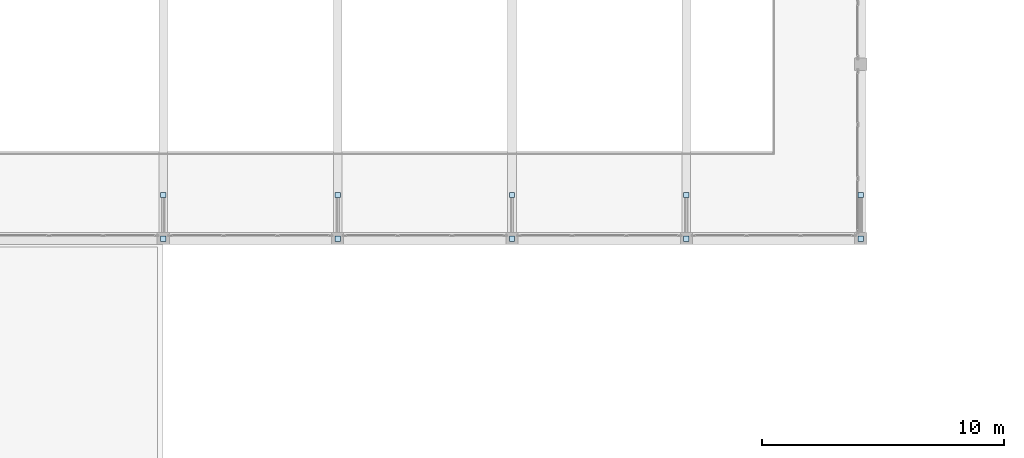
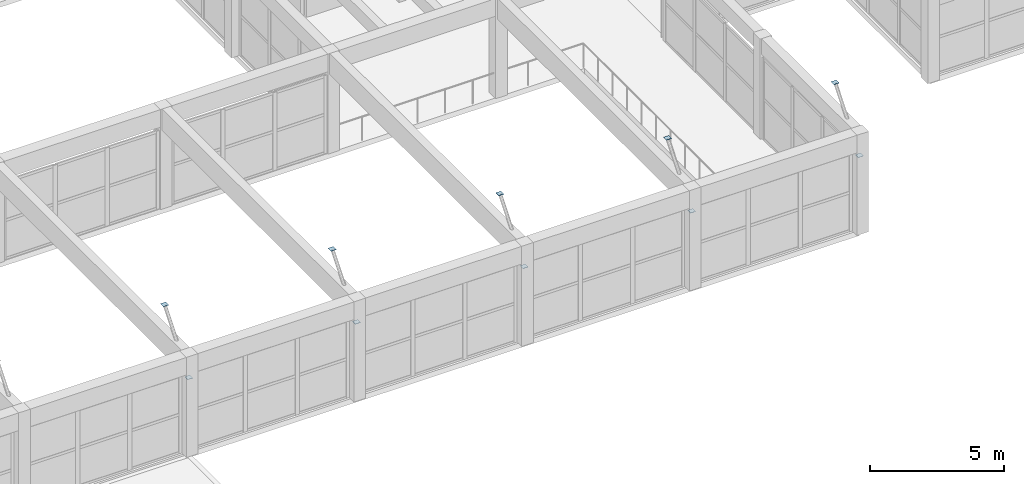
# One storey, part 130 of 153: 10 plates.
"""IFC4 building model written with IfcOpenShell, lengths in metres."""

from ifc_helpers import new_model, si_unit, direction, frame, origin, origin_2d, place, context, subcontext, project, spatial, rectangle, extrude, material, layer, layer_set, type_object, element, save


model = new_model("IFC4")

# Units and contexts
model_context = context("Model", 3, precision=1e-05, world=origin(), true_north=direction((0.0, 1.0)))
body_context = subcontext(model_context, "Body", "Model", "MODEL_VIEW")
ifc_project = project(units=[si_unit("LENGTHUNIT", "METRE"), si_unit("AREAUNIT", "SQUARE_METRE"), si_unit("VOLUMEUNIT", "CUBIC_METRE"), si_unit("PLANEANGLEUNIT", "RADIAN"), si_unit("MASSUNIT", "GRAM", prefix="KILO")], contexts=[model_context])

# Site, building, storey
site_placement = place(None, origin())
site = spatial("IfcSite", under=ifc_project, at=site_placement, CompositionType="ELEMENT")
building_placement = place(site_placement, origin())
building = spatial("IfcBuilding", under=site, at=building_placement, Name="Bramvelor Terrace Health Centre", CompositionType="ELEMENT")
storey_placement = place(building_placement, frame((0.0, 0.0, 4.800048828125)))
storey = spatial("IfcBuildingStorey", under=building, at=storey_placement, Name="L02", CompositionType="ELEMENT", Elevation=4.800048828125)

# Plates
ifc_material = material(Name="Steel S355J2", Category="steel")
ifc_layer = layer(ifc_material, 0.011962890625)
ifc_layer_set = layer_set([ifc_layer], Name="Steel S355J2")
plate_type = type_object("IfcPlateType", Name="PLT-CAP-12-EXT", PredefinedType="USERDEFINED", material=ifc_layer_set)
for number, where, z_axis, x_axis, name in (
    (1, (64.800048828125, 36.0, 3.39404296875), (0.0, 0.0, 1.0), (1.0, 0.0, 0.0), "Storm-Eave Strut Cap Plate S4-1"),
    (2, (64.800048828125, 37.800048828125, 5.61572265625), (0.0, 0.0, 1.0), (1.0, 0.0, 0.0), "Storm-Eave Strut Cap Plate S4-2"),
    (3, (72.0, 36.0, 3.39404296875), (0.0, 0.0, 1.0), (1.0, 0.0, 0.0), "Storm-Eave Strut Cap Plate S5-1"),
    (4, (72.0, 37.800048828125, 5.61572265625), (0.0, 0.0, 1.0), (1.0, 0.0, 0.0), "Storm-Eave Strut Cap Plate S5-2"),
    (5, (79.199951171875, 36.0, 3.39404296875), (0.0, 0.0, 1.0), (1.0, 0.0, 0.0), "Storm-Eave Strut Cap Plate S6-1"),
    (6, (79.199951171875, 37.800048828125, 5.61572265625), (0.0, 0.0, 1.0), (1.0, 0.0, 0.0), "Storm-Eave Strut Cap Plate S6-2"),
    (7, (86.39990234375, 36.0, 3.39404296875), (0.0, 0.0, 1.0), (1.0, 0.0, 0.0), "Storm-Eave Strut Cap Plate S7-1"),
    (8, (86.39990234375, 37.800048828125, 5.61572265625), (0.0, 0.0, 1.0), (1.0, 0.0, 0.0), "Storm-Eave Strut Cap Plate S7-2"),
    (9, (93.60009765625, 36.0, 3.39404296875), (0.0, 0.0, 1.0), (1.0, 0.0, 0.0), "Storm-Eave Strut Cap Plate S8-1"),
    (10, (93.60009765625, 37.800048828125, 5.61572265625), (0.0, 0.0, 1.0), (1.0, 0.0, 0.0), "Storm-Eave Strut Cap Plate S8-2"),
):
    element("IfcPlate", number, at=place(storey_placement, frame(where, z_axis=z_axis, x_axis=x_axis)), inside=storey, type_object=plate_type, Name=name, ObjectType="GUSSET PLATE", PredefinedType="USERDEFINED", context=body_context, shape_type="SweptSolid", body=[
        extrude(rectangle(XDim=0.219970703125, YDim=0.219970703125, at=origin_2d()), origin(), (0.0, 0.0, 1.0), 0.011962890625),
    ])

save(model, "model.ifc")
